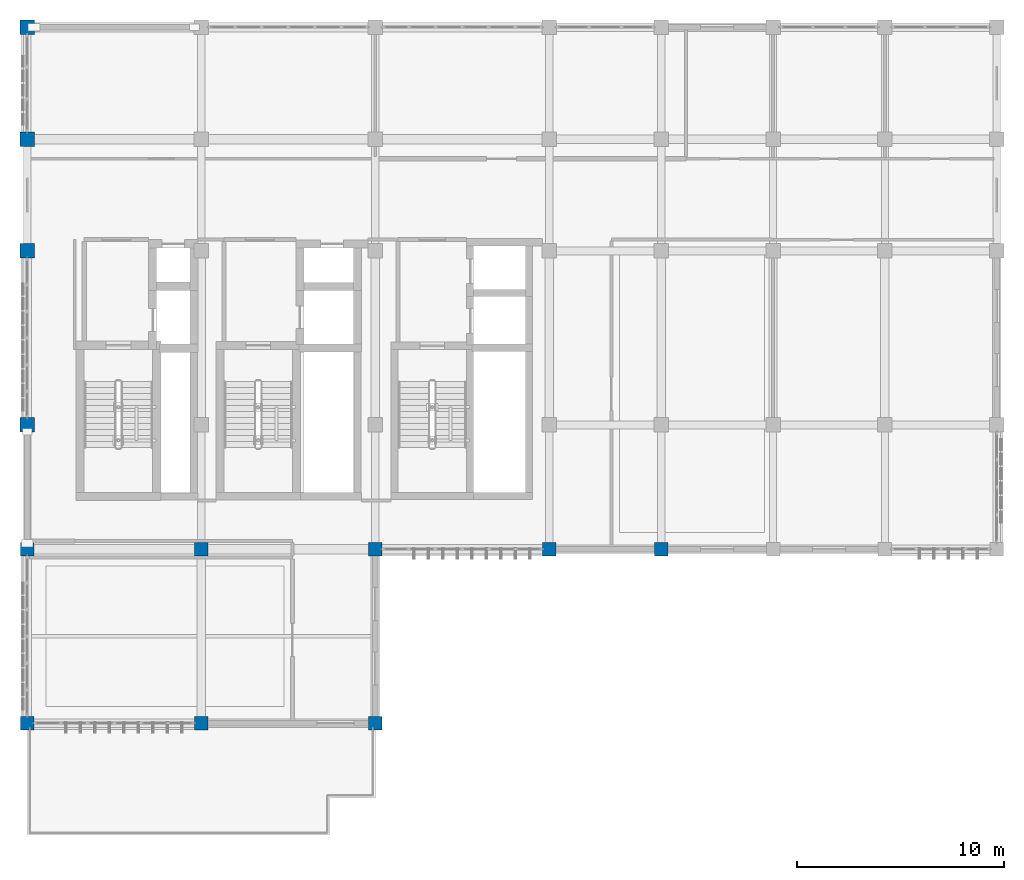
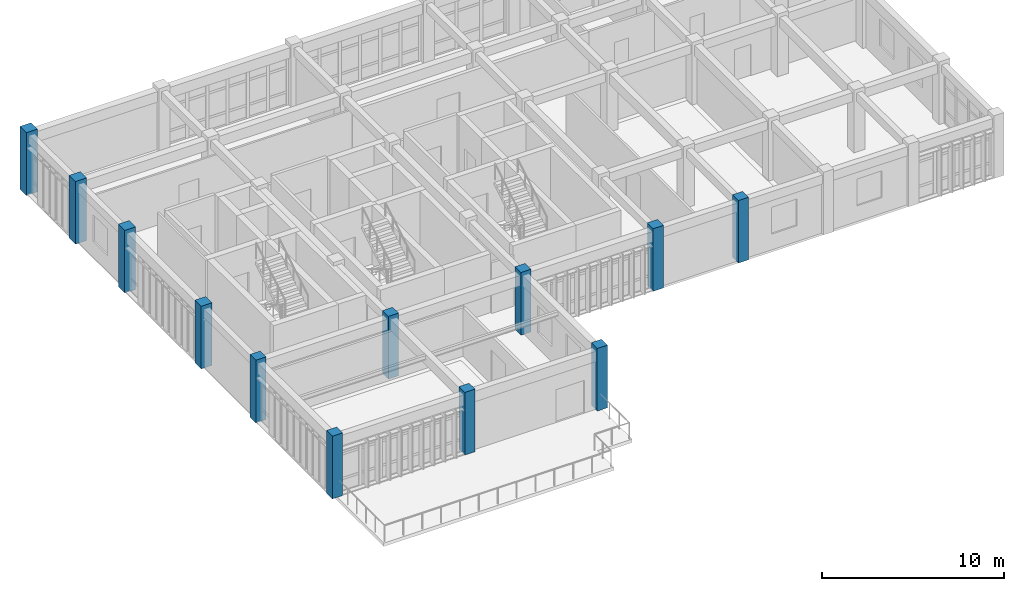
# One storey, part 1 of 23: 12 columns.
"""IFC4 building model written with IfcOpenShell, lengths in metres."""

from ifc_helpers import new_model, si_unit, direction, frame, origin, origin_2d, place, context, subcontext, project, spatial, rectangle, extrude, material, material_profile, profile_set, type_object, element, save


model = new_model("IFC4")

# Units and contexts
model_context = context("Model", 3, precision=1e-05, world=origin(), true_north=direction((0.0, 1.0)))
body_context = subcontext(model_context, "Body", "Model", "MODEL_VIEW")
ifc_project = project(units=[si_unit("LENGTHUNIT", "METRE"), si_unit("AREAUNIT", "SQUARE_METRE"), si_unit("VOLUMEUNIT", "CUBIC_METRE"), si_unit("PLANEANGLEUNIT", "RADIAN"), si_unit("MASSUNIT", "GRAM", prefix="KILO")], contexts=[model_context])

# Site, building, storey
site_placement = place(None, origin())
site = spatial("IfcSite", under=ifc_project, at=site_placement, CompositionType="ELEMENT")
building_placement = place(site_placement, origin())
building = spatial("IfcBuilding", under=site, at=building_placement, Name="Krzemoval Escarpment Law Courts", CompositionType="ELEMENT")
storey_placement = place(building_placement, frame((0.0, 0.0, 25.199951171875)))
storey = spatial("IfcBuildingStorey", under=building, at=storey_placement, Name="L05", CompositionType="ELEMENT", Elevation=25.199951171875)

# Columns
ifc_material_1 = material(Name="Concrete C40/50", Category="concrete")
ifc_material_profile_1 = material_profile(ifc_material_1, rectangle(XDim=0.64990234375, YDim=0.64990234375, at=origin_2d()), Name="RC 650x650")
ifc_profile_set_1 = profile_set([ifc_material_profile_1], Name="Concrete C40/50")
column_type_1 = type_object("IfcColumnType", Name="COL-RC-650", PredefinedType="COLUMN", material=ifc_profile_set_1)
for number, where, z_axis, x_axis, name in (
    (1, (126.0, 85.199951171875, 0.0), (0.0, 0.0, 1.0), (1.0, 0.0, 0.0), "Column FC-L05-1248"),
    (2, (126.0, 93.60009765625, 0.0), (0.0, 0.0, 1.0), (1.0, 0.0, 0.0), "Column FC-L05-1249"),
    (3, (134.39990234375, 85.199951171875, 0.0), (0.0, 0.0, 1.0), (1.0, 0.0, 0.0), "Column FC-L05-1254"),
    (4, (134.39990234375, 93.60009765625, 0.0), (0.0, 0.0, 1.0), (1.0, 0.0, 0.0), "Column FC-L05-1255"),
    (5, (142.800048828125, 85.199951171875, 0.0), (0.0, 0.0, 1.0), (1.0, 0.0, 0.0), "Column FC-L05-1260"),
    (6, (142.800048828125, 93.60009765625, 0.0), (0.0, 0.0, 1.0), (1.0, 0.0, 0.0), "Column FC-L05-1261"),
    (7, (151.199951171875, 93.60009765625, 0.0), (0.0, 0.0, 1.0), (1.0, 0.0, 0.0), "Column FC-L05-1266"),
    (8, (156.60009765625, 93.60009765625, 0.0), (0.0, 0.0, 1.0), (1.0, 0.0, 0.0), "Column FC-L05-1271"),
):
    element("IfcColumn", number, at=place(storey_placement, frame(where, z_axis=z_axis, x_axis=x_axis)), inside=storey, type_object=column_type_1, Name=name, PredefinedType="COLUMN", context=body_context, shape_type="SweptSolid", body=[
        extrude(rectangle(XDim=0.64990234375, YDim=0.64990234375, at=origin_2d()), origin(), (0.0, 0.0, 1.0), 4.199951171875),
    ])
ifc_material_2 = material(Name="Concrete C40/50", Category="concrete")
ifc_material_profile_2 = material_profile(ifc_material_2, rectangle(XDim=0.699951171875, YDim=0.699951171875, at=origin_2d()), Name="RC 700x700")
ifc_profile_set_2 = profile_set([ifc_material_profile_2], Name="Concrete C40/50")
column_type_2 = type_object("IfcColumnType", Name="COL-RC-700", PredefinedType="COLUMN", material=ifc_profile_set_2)
for number, where, z_axis, x_axis, name in (
    (9, (126.0, 99.60009765625, 0.0), (0.0, 0.0, 1.0), (1.0, 0.0, 0.0), "Column FC-L05-1250"),
    (10, (126.0, 108.0, 0.0), (0.0, 0.0, 1.0), (1.0, 0.0, 0.0), "Column FC-L05-1251"),
    (11, (126.0, 113.39990234375, 0.0), (0.0, 0.0, 1.0), (1.0, 0.0, 0.0), "Column FC-L05-1252"),
    (12, (126.0, 118.800048828125, 0.0), (0.0, 0.0, 1.0), (1.0, 0.0, 0.0), "Column FC-L05-1253"),
):
    element("IfcColumn", number, at=place(storey_placement, frame(where, z_axis=z_axis, x_axis=x_axis)), inside=storey, type_object=column_type_2, Name=name, PredefinedType="COLUMN", context=body_context, shape_type="SweptSolid", body=[
        extrude(rectangle(XDim=0.699951171875, YDim=0.699951171875, at=origin_2d()), origin(), (0.0, 0.0, 1.0), 4.199951171875),
    ])

save(model, "model.ifc")
